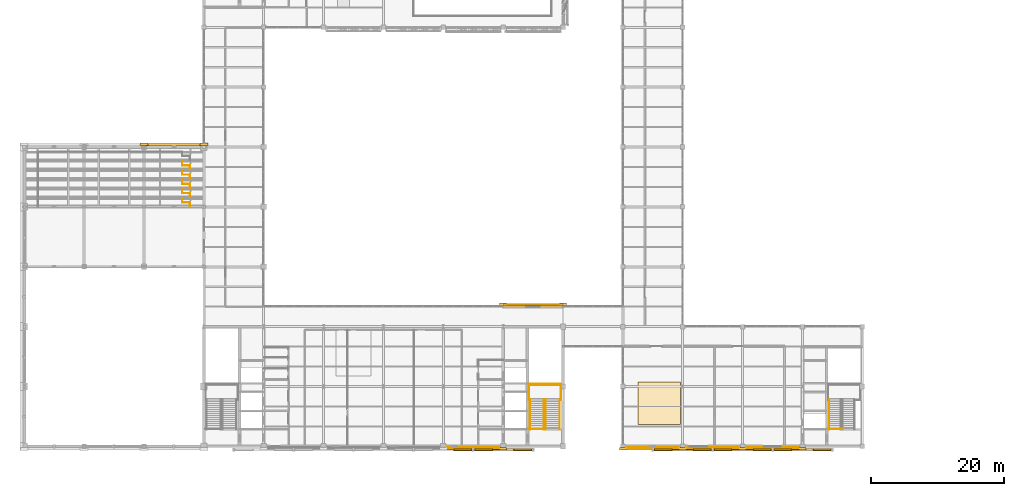
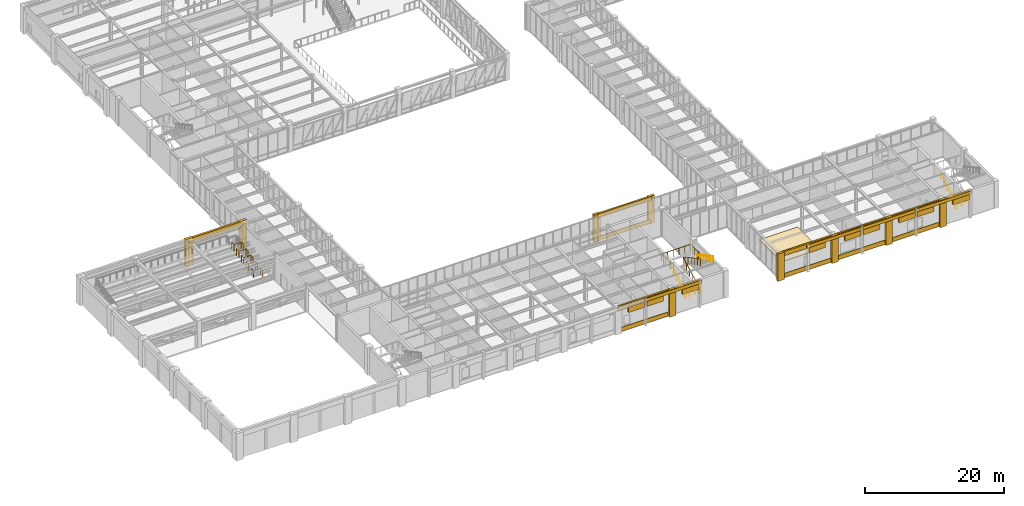
# One storey, part 89 of 92: 34 coverings, 12 railings.
"""IFC4 building model written with IfcOpenShell, lengths in metres."""

import ifcopenshell
import ifcopenshell.guid

model = None  # the IFC model being written
_history = None  # IfcOwnerHistory: only IFC2X3 demands one
_inside = {}  # id of a spatial element -> (the spatial element, [elements in it])
_under = {}  # id of a project, library or spatial element -> (it, [spatial elements below it])
_declared = {}  # id of a project -> (the project, [libraries it declares])
_typed = {}  # id of a type object -> (the type object, [elements of that type])
_made_of = {}  # id of a material, layer set ... -> (it, [elements and type objects made of it])


def new_model(schema):
    """Start an empty IFC model of exactly this schema.

    Asked for "IFC4X3", IfcOpenShell would pick the latest addendum, in which some entities
    have other attributes; the version numbers below select the first issue.
    IFC2X3 requires an IfcOwnerHistory on every rooted entity: one is made here for all.
    """
    global model, _history
    if schema == "IFC4X3":
        model = ifcopenshell.file(schema_version=(4, 3, 0, 0))
    else:
        model = ifcopenshell.file(schema=schema)
    _inside.clear()
    _under.clear()
    _declared.clear()
    _typed.clear()
    _made_of.clear()
    _history = None
    if model.schema == "IFC2X3":
        org = make("IfcOrganization", Name="unknown")
        user = make(
            "IfcPersonAndOrganization",
            ThePerson=make("IfcPerson", FamilyName="unknown"),
            TheOrganization=org,
        )
        app = make(
            "IfcApplication",
            ApplicationDeveloper=org,
            Version="unknown",
            ApplicationFullName="unknown",
            ApplicationIdentifier="unknown",
        )
        _history = make(
            "IfcOwnerHistory",
            OwningUser=user,
            OwningApplication=app,
            ChangeAction="ADDED",
            CreationDate=0,
        )
    return model


def make(cls, **values):
    """One entity of the class cls with the attributes given. An attribute that is None is left unset."""
    return model.create_entity(
        cls, **{name: value for name, value in values.items() if value is not None}
    )


def rooted(cls, **values):
    """An entity with a GlobalId (a new one), such as an element, a storey or a relation."""
    return make(cls, GlobalId=ifcopenshell.guid.new(), OwnerHistory=_history, **values)


def si_unit(unit_type, name, prefix=None):
    """IfcSIUnit, for example si_unit("LENGTHUNIT", "METRE", prefix="MILLI")."""
    return make("IfcSIUnit", UnitType=unit_type, Prefix=prefix, Name=name)


def assignment(units):
    """IfcUnitAssignment: the units of a project."""
    return None if units is None else make("IfcUnitAssignment", Units=units)


def point(xyz):
    """IfcCartesianPoint."""
    return None if xyz is None else make("IfcCartesianPoint", Coordinates=xyz)


def direction(xyz):
    """IfcDirection."""
    return None if xyz is None else make("IfcDirection", DirectionRatios=xyz)


def frame(location, z_axis=None, x_axis=None):
    """IfcAxis2Placement3D, a coordinate frame: its origin and axes. An axis left out is left unset."""
    return make(
        "IfcAxis2Placement3D",
        Location=point(location),
        Axis=direction(z_axis),
        RefDirection=direction(x_axis),
    )


def frame_2d(location, x_axis=None):
    """IfcAxis2Placement2D, a coordinate frame in the plane: its origin and x axis."""
    return make(
        "IfcAxis2Placement2D", Location=point(location), RefDirection=direction(x_axis)
    )


def origin():
    """The frame at (0, 0, 0) with its axes left unset."""
    return frame((0.0, 0.0, 0.0))


def origin_2d():
    """The frame at (0, 0) in the plane with its x axis left unset."""
    return frame_2d((0.0, 0.0))


def place(relative_to, where):
    """IfcLocalPlacement: puts the frame where relative to a parent placement (None: the world)."""
    return make(
        "IfcLocalPlacement", PlacementRelTo=relative_to, RelativePlacement=where
    )


def context(
    kind, dimensions, precision=None, world=None, true_north=None, identifier=None
):
    """IfcGeometricRepresentationContext, for example the 3D "Model" context."""
    return make(
        "IfcGeometricRepresentationContext",
        ContextIdentifier=identifier,
        ContextType=kind,
        CoordinateSpaceDimension=dimensions,
        Precision=precision,
        WorldCoordinateSystem=world,
        TrueNorth=true_north,
    )


def subcontext(parent, identifier, kind, view, scale=None):
    """IfcGeometricRepresentationSubContext, for example "Body" below "Model"."""
    return make(
        "IfcGeometricRepresentationSubContext",
        ContextIdentifier=identifier,
        ContextType=kind,
        ParentContext=parent,
        TargetScale=scale,
        TargetView=view,
    )


def project(units=None, contexts=None):
    """IfcProject with its units and contexts."""
    return rooted(
        "IfcProject",
        Name="project",
        RepresentationContexts=contexts,
        UnitsInContext=assignment(units),
    )


def spatial(cls, under=None, at=None, **own):
    """A site, building, storey or space (cls), placed at a placement, below another one or the project."""
    s = rooted(cls, ObjectPlacement=at, **own)
    if under is not None:
        _under.setdefault(under.id(), (under, []))[1].append(s)
    return s


def profile(cls, at=None, kind="AREA", **sizes):
    """A parametric profile (cls). Its sizes go by their IFC names, for example OverallWidth=200.0."""
    return make(cls, ProfileType=kind, Position=at, **sizes)


def rectangle(**sizes):
    """IfcRectangleProfileDef."""
    return profile("IfcRectangleProfileDef", **sizes)


def circle(**sizes):
    """IfcCircleProfileDef."""
    return profile("IfcCircleProfileDef", **sizes)


def extrude(swept, where, along, depth):
    """IfcExtrudedAreaSolid: the profile swept, set in the frame where, extruded along a direction by depth."""
    return make(
        "IfcExtrudedAreaSolid",
        SweptArea=swept,
        Position=where,
        ExtrudedDirection=direction(along),
        Depth=depth,
    )


def shape(context_of_items, identifier, shape_type, items):
    """IfcShapeRepresentation: the items that make up one representation, for example the "Body"."""
    return make(
        "IfcShapeRepresentation",
        ContextOfItems=context_of_items,
        RepresentationIdentifier=identifier,
        RepresentationType=shape_type,
        Items=items,
    )


def material(Name=None, Category=None):
    """IfcMaterial."""
    return make("IfcMaterial", Name=Name, Category=Category)


def layer(
    of_material, thickness, ventilated=None, Name=None, Category=None, Priority=None
):
    """IfcMaterialLayer: one layer of a wall or slab, of a material (None: an air gap)."""
    return make(
        "IfcMaterialLayer",
        Material=of_material,
        LayerThickness=thickness,
        IsVentilated=ventilated,
        Name=Name,
        Category=Category,
        Priority=Priority,
    )


def layer_set(layers, Name=None):
    """IfcMaterialLayerSet."""
    return make("IfcMaterialLayerSet", MaterialLayers=layers, LayerSetName=Name)


def made_of(thing, what):
    """Note that an element or type object is made of a material, layer set ...; save() writes the relation."""
    if what is not None:
        _made_of.setdefault(what.id(), (what, []))[1].append(thing)
    return thing


def type_object(cls, material=None, **own):
    """A type object (cls), such as IfcWallType, which elements share."""
    return made_of(rooted(cls, **own), material)


def element(
    cls,
    number,
    at=None,
    inside=None,
    cuts=None,
    type_object=None,
    material=None,
    context=None,
    identifier="Body",
    shape_type=None,
    held_by="IfcProductDefinitionShape",
    body=None,
    shapes=None,
    **own,
):
    """One element of the class cls, such as IfcWall. Its Tag is "e" and its number.

    at: its placement. inside: the storey or other place that contains it. cuts: it is an
    opening in that element (IfcRelVoidsElement). A single representation is given by context,
    identifier, shape_type and body (its items); several are given by shapes. held_by: the class
    of the entity that holds the representations. save() writes the other relations.
    """
    e = rooted(cls, Tag="e%d" % number, ObjectPlacement=at, **own)
    if body is not None:
        shapes = [shape(context, identifier, shape_type, body)]
    if shapes is not None:
        e.Representation = make(held_by, Representations=shapes)
    if inside is not None:
        _inside.setdefault(inside.id(), (inside, []))[1].append(e)
    if cuts is not None:
        rooted(
            "IfcRelVoidsElement", RelatingBuildingElement=cuts, RelatedOpeningElement=e
        )
    if type_object is not None:
        _typed.setdefault(type_object.id(), (type_object, []))[1].append(e)
    return made_of(e, material)


def aggregate(whole, parts):
    """IfcRelAggregates: a whole, such as a stair, and the parts it consists of."""
    return rooted("IfcRelAggregates", RelatingObject=whole, RelatedObjects=parts)


def save(model, path):
    """Write the relations noted so far, then the file.

    IfcRelAggregates (storeys below a building ...), IfcRelContainedInSpatialStructure (elements
    in a storey), IfcRelDefinesByType, IfcRelAssociatesMaterial and IfcRelDeclares: one each for
    every whole, place, type object, material and project.
    """
    for whole, parts in _under.values():
        aggregate(whole, parts)
    for where, things in _inside.values():
        rooted(
            "IfcRelContainedInSpatialStructure",
            RelatedElements=things,
            RelatingStructure=where,
        )
    for kind, things in _typed.values():
        rooted("IfcRelDefinesByType", RelatedObjects=things, RelatingType=kind)
    for what, things in _made_of.values():
        rooted("IfcRelAssociatesMaterial", RelatedObjects=things, RelatingMaterial=what)
    for by, libraries in _declared.values():
        rooted("IfcRelDeclares", RelatingContext=by, RelatedDefinitions=libraries)
    model.write(path)


model = new_model("IFC4")

# Units and contexts
model_context = context("Model", 3, precision=1e-05, world=origin(), true_north=direction((0.0, 1.0)))
body_context = subcontext(model_context, "Body", "Model", "MODEL_VIEW")
ifc_project = project(units=[si_unit("LENGTHUNIT", "METRE"), si_unit("AREAUNIT", "SQUARE_METRE"), si_unit("VOLUMEUNIT", "CUBIC_METRE"), si_unit("PLANEANGLEUNIT", "RADIAN"), si_unit("MASSUNIT", "GRAM", prefix="KILO")], contexts=[model_context])

# Site, building, storey
site_placement = place(None, origin())
site = spatial("IfcSite", under=ifc_project, at=site_placement, CompositionType="ELEMENT")
building_placement = place(site_placement, origin())
building = spatial("IfcBuilding", under=site, at=building_placement, Name="Lykobir Media Centre", CompositionType="ELEMENT")
storey_placement = place(building_placement, frame((0.0, 0.0, 5.39990234375)))
storey = spatial("IfcBuildingStorey", under=building, at=storey_placement, Name="L01", CompositionType="ELEMENT", Elevation=5.39990234375)

# Coverings
ifc_material_1 = material(Name="Honed Travertine Stone", Category="masonry")
ifc_layer_1 = layer(ifc_material_1, 0.050048828125, Name="Honed Travertine Stone")
ifc_layer_set_1 = layer_set([ifc_layer_1], Name="Honed Travertine Stone")
covering_type_1 = type_object("IfcCoveringType", Name="CLD-TRAV", PredefinedType="CLADDING", material=ifc_layer_set_1)
covering_1_placement = place(storey_placement, frame((72.0, -0.3798828125, 0.0), z_axis=(0.0, 0.0, 1.0), x_axis=(1.0, 0.0, 0.0)))
element("IfcCovering", 1, at=covering_1_placement, inside=storey, type_object=covering_type_1, Name="Travertine column pier 200", PredefinedType="CLADDING", context=body_context, shape_type="SweptSolid", body=[
    extrude(rectangle(XDim=1.06005859375, YDim=0.39990234375, at=origin_2d()), origin(), (0.0, 0.0, 1.0), 4.800048828125),
])
covering_2_placement = place(storey_placement, frame((67.5, -0.300048828125, 4.0400390625), z_axis=(0.0, 0.0, 1.0), x_axis=(1.0, 0.0, 0.0)))
element("IfcCovering", 2, at=covering_2_placement, inside=storey, type_object=covering_type_1, Name="Travertine spandrel stringcourse 201", PredefinedType="CLADDING", context=body_context, shape_type="SweptSolid", body=[
    extrude(rectangle(XDim=9.0, YDim=0.280029296875, at=origin_2d()), origin(), (0.0, 0.0, 1.0), 0.760009765625),
])
covering_3_placement = place(storey_placement, frame((67.5, -0.216064453125, 0.080078125), z_axis=(0.0, 0.0, 1.0), x_axis=(1.0, 0.0, 0.0)))
element("IfcCovering", 3, at=covering_3_placement, inside=storey, type_object=covering_type_1, Name="Facade spandrel apron 202", PredefinedType="CLADDING", context=body_context, shape_type="SweptSolid", body=[
    extrude(rectangle(XDim=7.830078125, YDim=0.110107421875, at=origin_2d()), origin(), (0.0, 0.0, 1.0), 0.719970703125),
])
for number, where, z_axis, x_axis, name in (
    (4, (90.0, -0.3798828125, 0.0), (0.0, 0.0, 1.0), (1.0, 0.0, 0.0), "Travertine column pier 203"),
    (5, (99.0, -0.3798828125, 0.0), (0.0, 0.0, 1.0), (1.0, 0.0, 0.0), "Travertine column pier 204"),
):
    element("IfcCovering", number, at=place(storey_placement, frame(where, z_axis=z_axis, x_axis=x_axis)), inside=storey, type_object=covering_type_1, Name=name, PredefinedType="CLADDING", context=body_context, shape_type="SweptSolid", body=[
        extrude(rectangle(XDim=1.06005859375, YDim=0.39990234375, at=origin_2d()), origin(), (0.0, 0.0, 1.0), 4.800048828125),
    ])
covering_4_placement = place(storey_placement, frame((94.5, -0.300048828125, 4.0400390625), z_axis=(0.0, 0.0, 1.0), x_axis=(1.0, 0.0, 0.0)))
element("IfcCovering", 6, at=covering_4_placement, inside=storey, type_object=covering_type_1, Name="Travertine spandrel stringcourse 205", PredefinedType="CLADDING", context=body_context, shape_type="SweptSolid", body=[
    extrude(rectangle(XDim=9.0, YDim=0.280029296875, at=origin_2d()), origin(), (0.0, 0.0, 1.0), 0.760009765625),
])
covering_5_placement = place(storey_placement, frame((94.5, -0.216064453125, 0.080078125), z_axis=(0.0, 0.0, 1.0), x_axis=(1.0, 0.0, 0.0)))
element("IfcCovering", 7, at=covering_5_placement, inside=storey, type_object=covering_type_1, Name="Facade spandrel apron 206", PredefinedType="CLADDING", context=body_context, shape_type="SweptSolid", body=[
    extrude(rectangle(XDim=7.929931640625, YDim=0.110107421875, at=origin_2d()), origin(), (0.0, 0.0, 1.0), 0.719970703125),
])
covering_6_placement = place(storey_placement, frame((108.0, -0.3798828125, 0.0), z_axis=(0.0, 0.0, 1.0), x_axis=(1.0, 0.0, 0.0)))
element("IfcCovering", 8, at=covering_6_placement, inside=storey, type_object=covering_type_1, Name="Travertine column pier 207", PredefinedType="CLADDING", context=body_context, shape_type="SweptSolid", body=[
    extrude(rectangle(XDim=1.06005859375, YDim=0.39990234375, at=origin_2d()), origin(), (0.0, 0.0, 1.0), 4.800048828125),
])
covering_7_placement = place(storey_placement, frame((103.5, -0.300048828125, 4.0400390625), z_axis=(0.0, 0.0, 1.0), x_axis=(1.0, 0.0, 0.0)))
element("IfcCovering", 9, at=covering_7_placement, inside=storey, type_object=covering_type_1, Name="Travertine spandrel stringcourse 208", PredefinedType="CLADDING", context=body_context, shape_type="SweptSolid", body=[
    extrude(rectangle(XDim=9.0, YDim=0.280029296875, at=origin_2d()), origin(), (0.0, 0.0, 1.0), 0.760009765625),
])
covering_8_placement = place(storey_placement, frame((103.5, -0.216064453125, 0.080078125), z_axis=(0.0, 0.0, 1.0), x_axis=(1.0, 0.0, 0.0)))
element("IfcCovering", 10, at=covering_8_placement, inside=storey, type_object=covering_type_1, Name="Facade spandrel apron 209", PredefinedType="CLADDING", context=body_context, shape_type="SweptSolid", body=[
    extrude(rectangle(XDim=7.929931640625, YDim=0.110107421875, at=origin_2d()), origin(), (0.0, 0.0, 1.0), 0.719970703125),
])
covering_9_placement = place(storey_placement, frame((117.0, -0.3798828125, 0.0), z_axis=(0.0, 0.0, 1.0), x_axis=(1.0, 0.0, 0.0)))
element("IfcCovering", 11, at=covering_9_placement, inside=storey, type_object=covering_type_1, Name="Travertine column pier 210", PredefinedType="CLADDING", context=body_context, shape_type="SweptSolid", body=[
    extrude(rectangle(XDim=1.06005859375, YDim=0.39990234375, at=origin_2d()), origin(), (0.0, 0.0, 1.0), 4.800048828125),
])
covering_10_placement = place(storey_placement, frame((112.5, -0.300048828125, 4.0400390625), z_axis=(0.0, 0.0, 1.0), x_axis=(1.0, 0.0, 0.0)))
element("IfcCovering", 12, at=covering_10_placement, inside=storey, type_object=covering_type_1, Name="Travertine spandrel stringcourse 211", PredefinedType="CLADDING", context=body_context, shape_type="SweptSolid", body=[
    extrude(rectangle(XDim=9.0, YDim=0.280029296875, at=origin_2d()), origin(), (0.0, 0.0, 1.0), 0.760009765625),
])
covering_11_placement = place(storey_placement, frame((112.5, -0.216064453125, 0.080078125), z_axis=(0.0, 0.0, 1.0), x_axis=(1.0, 0.0, 0.0)))
element("IfcCovering", 13, at=covering_11_placement, inside=storey, type_object=covering_type_1, Name="Facade spandrel apron 212", PredefinedType="CLADDING", context=body_context, shape_type="SweptSolid", body=[
    extrude(rectangle(XDim=7.929931640625, YDim=0.110107421875, at=origin_2d()), origin(), (0.0, 0.0, 1.0), 0.719970703125),
])
for number, where, z_axis, x_axis, name in (
    (14, (81.0, 21.3798828125, 0.0), (0.0, 0.0, 1.0), (-1.0, 0.0, 0.0), "Travertine column pier 217"),
    (15, (72.0, 21.3798828125, 0.0), (0.0, 0.0, 1.0), (-1.0, 0.0, 0.0), "Travertine column pier 218"),
):
    element("IfcCovering", number, at=place(storey_placement, frame(where, z_axis=z_axis, x_axis=x_axis)), inside=storey, type_object=covering_type_1, Name=name, PredefinedType="CLADDING", context=body_context, shape_type="SweptSolid", body=[
        extrude(rectangle(XDim=1.06005859375, YDim=0.39990234375, at=origin_2d()), origin(), (0.0, 0.0, 1.0), 4.800048828125),
    ])
covering_12_placement = place(storey_placement, frame((76.5, 21.300048828125, 4.0400390625), z_axis=(0.0, 0.0, 1.0), x_axis=(-1.0, 0.0, 0.0)))
element("IfcCovering", 16, at=covering_12_placement, inside=storey, type_object=covering_type_1, Name="Travertine spandrel stringcourse 219", PredefinedType="CLADDING", context=body_context, shape_type="SweptSolid", body=[
    extrude(rectangle(XDim=9.0, YDim=0.280029296875, at=origin_2d()), origin(), (0.0, 0.0, 1.0), 0.760009765625),
])
covering_13_placement = place(storey_placement, frame((76.5, 21.216064453125, 0.080078125), z_axis=(0.0, 0.0, 1.0), x_axis=(-1.0, 0.0, 0.0)))
element("IfcCovering", 17, at=covering_13_placement, inside=storey, type_object=covering_type_1, Name="Facade spandrel apron 220", PredefinedType="CLADDING", context=body_context, shape_type="SweptSolid", body=[
    extrude(rectangle(XDim=8.75, YDim=0.110107421875, at=origin_2d()), origin(), (0.0, 0.0, 1.0), 0.719970703125),
])
covering_14_placement = place(storey_placement, frame((18.0, 45.419921875, 0.0), z_axis=(0.0, 0.0, 1.0), x_axis=(-1.0, 0.0, 0.0)))
element("IfcCovering", 18, at=covering_14_placement, inside=storey, type_object=covering_type_1, Name="Stone pilaster 245", PredefinedType="CLADDING", context=body_context, shape_type="SweptSolid", body=[
    extrude(rectangle(XDim=1.179931640625, YDim=0.43994140625, at=origin_2d()), origin(), (0.0, 0.0, 1.0), 4.800048828125),
])
covering_15_placement = place(storey_placement, frame((22.5, 45.360107421875, 3.9599609375), z_axis=(0.0, 0.0, 1.0), x_axis=(-1.0, 0.0, 0.0)))
element("IfcCovering", 19, at=covering_15_placement, inside=storey, type_object=covering_type_1, Name="Acoustic hall cornice band 246", PredefinedType="CLADDING", context=body_context, shape_type="SweptSolid", body=[
    extrude(rectangle(XDim=9.0, YDim=0.340087890625, at=origin_2d()), origin(), (0.0, 0.0, 1.0), 0.840087890625),
])
covering_16_placement = place(storey_placement, frame((27.0, 45.419921875, 0.0), z_axis=(0.0, 0.0, 1.0), x_axis=(-1.0, 0.0, 0.0)))
element("IfcCovering", 20, at=covering_16_placement, inside=storey, type_object=covering_type_1, Name="Stone pilaster 247", PredefinedType="CLADDING", context=body_context, shape_type="SweptSolid", body=[
    extrude(rectangle(XDim=1.179931640625, YDim=0.43994140625, at=origin_2d()), origin(), (0.0, 0.0, 1.0), 4.800048828125),
])
covering_17_placement = place(storey_placement, frame((65.949951171875, -0.47998046875, 3.27490234375), z_axis=(0.0, 0.0, 1.0), x_axis=(1.0, 0.0, 0.0)))
element("IfcCovering", 21, at=covering_17_placement, inside=storey, type_object=covering_type_1, Name="South Revak pointed arch haunch 962", PredefinedType="CLADDING", context=body_context, shape_type="SweptSolid", body=[
    extrude(rectangle(XDim=2.699951171875, YDim=0.300048828125, at=origin_2d()), origin(), (0.0, 0.0, 1.0), 0.949951171875),
])
covering_18_placement = place(storey_placement, frame((72.0, -0.47998046875, 4.199951171875), z_axis=(0.0, 0.0, 1.0), x_axis=(1.0, 0.0, 0.0)))
element("IfcCovering", 22, at=covering_18_placement, inside=storey, type_object=covering_type_1, Name="South Revak entablature 963", PredefinedType="CLADDING", context=body_context, shape_type="SweptSolid", body=[
    extrude(rectangle(XDim=9.39990234375, YDim=0.340087890625, at=origin_2d()), origin(), (0.0, 0.0, 1.0), 0.56005859375),
])
for number, where, z_axis, x_axis, name in (
    (23, (69.050048828125, -0.47998046875, 3.27490234375), (0.0, 0.0, 1.0), (1.0, 0.0, 0.0), "South Revak pointed arch haunch 964"),
    (24, (74.949951171875, -0.47998046875, 3.27490234375), (0.0, 0.0, 1.0), (1.0, 0.0, 0.0), "South Revak pointed arch haunch 965"),
):
    element("IfcCovering", number, at=place(storey_placement, frame(where, z_axis=z_axis, x_axis=x_axis)), inside=storey, type_object=covering_type_1, Name=name, PredefinedType="CLADDING", context=body_context, shape_type="SweptSolid", body=[
        extrude(rectangle(XDim=2.699951171875, YDim=0.300048828125, at=origin_2d()), origin(), (0.0, 0.0, 1.0), 0.949951171875),
    ])
covering_19_placement = place(storey_placement, frame((99.0, -0.47998046875, 4.199951171875), z_axis=(0.0, 0.0, 1.0), x_axis=(1.0, 0.0, 0.0)))
element("IfcCovering", 25, at=covering_19_placement, inside=storey, type_object=covering_type_1, Name="South Revak entablature 966", PredefinedType="CLADDING", context=body_context, shape_type="SweptSolid", body=[
    extrude(rectangle(XDim=9.39990234375, YDim=0.340087890625, at=origin_2d()), origin(), (0.0, 0.0, 1.0), 0.56005859375),
])
for number, where, z_axis, x_axis, name in (
    (26, (96.050048828125, -0.47998046875, 3.27490234375), (0.0, 0.0, 1.0), (1.0, 0.0, 0.0), "South Revak pointed arch haunch 967"),
    (27, (101.949951171875, -0.47998046875, 3.27490234375), (0.0, 0.0, 1.0), (1.0, 0.0, 0.0), "South Revak pointed arch haunch 968"),
):
    element("IfcCovering", number, at=place(storey_placement, frame(where, z_axis=z_axis, x_axis=x_axis)), inside=storey, type_object=covering_type_1, Name=name, PredefinedType="CLADDING", context=body_context, shape_type="SweptSolid", body=[
        extrude(rectangle(XDim=2.699951171875, YDim=0.300048828125, at=origin_2d()), origin(), (0.0, 0.0, 1.0), 0.949951171875),
    ])
covering_20_placement = place(storey_placement, frame((108.0, -0.47998046875, 4.199951171875), z_axis=(0.0, 0.0, 1.0), x_axis=(1.0, 0.0, 0.0)))
element("IfcCovering", 28, at=covering_20_placement, inside=storey, type_object=covering_type_1, Name="South Revak entablature 969", PredefinedType="CLADDING", context=body_context, shape_type="SweptSolid", body=[
    extrude(rectangle(XDim=9.39990234375, YDim=0.340087890625, at=origin_2d()), origin(), (0.0, 0.0, 1.0), 0.56005859375),
])
for number, where, z_axis, x_axis, name in (
    (29, (105.050048828125, -0.47998046875, 3.27490234375), (0.0, 0.0, 1.0), (1.0, 0.0, 0.0), "South Revak pointed arch haunch 970"),
    (30, (110.949951171875, -0.47998046875, 3.27490234375), (0.0, 0.0, 1.0), (1.0, 0.0, 0.0), "South Revak pointed arch haunch 971"),
):
    element("IfcCovering", number, at=place(storey_placement, frame(where, z_axis=z_axis, x_axis=x_axis)), inside=storey, type_object=covering_type_1, Name=name, PredefinedType="CLADDING", context=body_context, shape_type="SweptSolid", body=[
        extrude(rectangle(XDim=2.699951171875, YDim=0.300048828125, at=origin_2d()), origin(), (0.0, 0.0, 1.0), 0.949951171875),
    ])
covering_21_placement = place(storey_placement, frame((117.0, -0.47998046875, 4.199951171875), z_axis=(0.0, 0.0, 1.0), x_axis=(1.0, 0.0, 0.0)))
element("IfcCovering", 31, at=covering_21_placement, inside=storey, type_object=covering_type_1, Name="South Revak entablature 972", PredefinedType="CLADDING", context=body_context, shape_type="SweptSolid", body=[
    extrude(rectangle(XDim=9.39990234375, YDim=0.340087890625, at=origin_2d()), origin(), (0.0, 0.0, 1.0), 0.56005859375),
])
for number, where, z_axis, x_axis, name in (
    (32, (114.050048828125, -0.47998046875, 3.27490234375), (0.0, 0.0, 1.0), (1.0, 0.0, 0.0), "South Revak pointed arch haunch 973"),
    (33, (119.949951171875, -0.47998046875, 3.27490234375), (0.0, 0.0, 1.0), (1.0, 0.0, 0.0), "South Revak pointed arch haunch 974"),
):
    element("IfcCovering", number, at=place(storey_placement, frame(where, z_axis=z_axis, x_axis=x_axis)), inside=storey, type_object=covering_type_1, Name=name, PredefinedType="CLADDING", context=body_context, shape_type="SweptSolid", body=[
        extrude(rectangle(XDim=2.699951171875, YDim=0.300048828125, at=origin_2d()), origin(), (0.0, 0.0, 1.0), 0.949951171875),
    ])
ifc_material_2 = material(Name="Acoustic Timber Panelling", Category="wood")
ifc_layer_2 = layer(ifc_material_2, 0.14990234375, Name="Acoustic Timber Panelling")
ifc_layer_set_2 = layer_set([ifc_layer_2], Name="Acoustic Timber Panelling")
covering_type_2 = type_object("IfcCoveringType", Name="COV-FLR-150", PredefinedType="FLOORING", material=ifc_layer_set_2)
covering_22_placement = place(storey_placement, frame((95.5, 6.5, 0.000244140625), z_axis=(0.0, 0.0, 1.0), x_axis=(1.0, 0.0, 0.0)))
element("IfcCovering", 34, at=covering_22_placement, inside=storey, type_object=covering_type_2, Name="L01 floating studio acoustic floor 2", PredefinedType="FLOORING", context=body_context, shape_type="SweptSolid", body=[
    extrude(rectangle(XDim=6.39990234375, YDim=6.39990234375, at=origin_2d()), origin(), (0.0, 0.0, 1.0), 0.14990234375),
])

# Railings
ifc_material_3 = material(Name="Steel S355", Category="steel")
railing_type_1 = type_object("IfcRailingType", Name="GR-1200", PredefinedType="BALUSTRADE", material=ifc_material_3)
railing_1_placement = place(storey_placement, frame((75.8701171875, 2.6298828125, 0.0)))
element("IfcRailing", 35, at=railing_1_placement, inside=storey, type_object=railing_type_1, Name="ST-2 L01 arrival well guard", PredefinedType="BALUSTRADE", context=body_context, shape_type="SweptSolid", body=[
    extrude(circle(Radius=0.02392578125, at=origin_2d()), frame((0.0, 0.0, 1.17578125), z_axis=(1.0, 0.0, 0.0), x_axis=(0.0, 1.0, 0.0)), (0.0, 0.0, 1.0), 2.539794921875),
    extrude(circle(Radius=0.02099609375, at=origin_2d()), origin(), (0.0, 0.0, 1.0), 1.15185546875),
    extrude(circle(Radius=0.02099609375, at=origin_2d()), frame((0.8466796875, 0.0, 0.0)), (0.0, 0.0, 1.0), 1.15185546875),
    extrude(circle(Radius=0.02099609375, at=origin_2d()), frame((1.693115234375, 0.0, 0.0)), (0.0, 0.0, 1.0), 1.15185546875),
    extrude(circle(Radius=0.02099609375, at=origin_2d()), frame((2.539794921875, 0.0, 0.0)), (0.0, 0.0, 1.0), 1.15185546875),
])
railing_2_placement = place(storey_placement, frame((78.1298828125, 2.530029296875, 0.0)))
element("IfcRailing", 36, at=railing_2_placement, inside=storey, type_object=railing_type_1, Name="ST-2 L01 inner well and slot guard", PredefinedType="BALUSTRADE", context=body_context, shape_type="SweptSolid", body=[
    extrude(circle(Radius=0.02392578125, at=origin_2d()), frame((0.0, 0.0, 1.17578125), z_axis=(0.0, 0.882341014787, 0.470610596591), x_axis=(-1.0, 0.0, 0.0)), (0.0, 0.0, 1.0), 5.10009765625),
    extrude(circle(Radius=0.02392578125, at=origin_2d()), frame((0.0, 4.5, 3.576171875), z_axis=(1.0, 0.0, 0.0), x_axis=(0.0, 1.0, 0.0)), (0.0, 0.0, 1.0), 0.280029296875),
    extrude(circle(Radius=0.02392578125, at=origin_2d()), frame((0.280029296875, 4.5, 3.576171875), z_axis=(0.0, -0.882360891967, 0.470573327259), x_axis=(1.0, 0.0, 0.0)), (0.0, 0.0, 1.0), 5.099853515625),
    extrude(circle(Radius=0.02099609375, at=origin_2d()), origin(), (0.0, 0.0, 1.0), 1.15185546875),
    extrude(circle(Radius=0.02099609375, at=origin_2d()), frame((0.0, 0.89990234375, 0.47998046875)), (0.0, 0.0, 1.0), 1.15185546875),
    extrude(circle(Radius=0.02099609375, at=origin_2d()), frame((0.0, 1.800048828125, 0.9599609375)), (0.0, 0.0, 1.0), 1.15185546875),
    extrude(circle(Radius=0.02099609375, at=origin_2d()), frame((0.0, 2.699951171875, 1.440185546875)), (0.0, 0.0, 1.0), 1.15185546875),
    extrude(circle(Radius=0.02099609375, at=origin_2d()), frame((0.0, 3.60009765625, 1.920166015625)), (0.0, 0.0, 1.0), 1.15185546875),
    extrude(circle(Radius=0.02099609375, at=origin_2d()), frame((0.0, 4.5, 2.400146484375)), (0.0, 0.0, 1.0), 1.15185546875),
    extrude(circle(Radius=0.02099609375, at=origin_2d()), frame((0.280029296875, 4.5, 2.400146484375)), (0.0, 0.0, 1.0), 1.15185546875),
    extrude(circle(Radius=0.02099609375, at=origin_2d()), frame((0.280029296875, 3.60009765625, 2.880126953125)), (0.0, 0.0, 1.0), 1.15185546875),
    extrude(circle(Radius=0.02099609375, at=origin_2d()), frame((0.280029296875, 2.699951171875, 3.360107421875)), (0.0, 0.0, 1.0), 1.15185546875),
    extrude(circle(Radius=0.02099609375, at=origin_2d()), frame((0.280029296875, 1.800048828125, 3.840087890625)), (0.0, 0.0, 1.0), 1.15185546875),
    extrude(circle(Radius=0.02099609375, at=origin_2d()), frame((0.280029296875, 0.89990234375, 4.320068359375)), (0.0, 0.0, 1.0), 1.15185546875),
    extrude(circle(Radius=0.02099609375, at=origin_2d()), frame((0.280029296875, 0.0, 4.800048828125)), (0.0, 0.0, 1.0), 1.15185546875),
])
railing_3_placement = place(storey_placement, frame((75.989990234375, 6.989990234375, 2.400146484375)))
element("IfcRailing", 37, at=railing_3_placement, inside=storey, type_object=railing_type_1, Name="ST-2 L01 half-landing perimeter guard", PredefinedType="BALUSTRADE", context=body_context, shape_type="SweptSolid", body=[
    extrude(circle(Radius=0.02392578125, at=origin_2d()), frame((0.0, 0.0, 1.17578125), z_axis=(-1.0, 0.0, 0.0), x_axis=(0.0, -1.0, 0.0)), (0.0, 0.0, 1.0), 0.110107421875),
    extrude(circle(Radius=0.02392578125, at=origin_2d()), frame((-0.110107421875, 0.0, 1.17578125), z_axis=(0.0, 1.0, 0.0), x_axis=(-1.0, 0.0, 0.0)), (0.0, 0.0, 1.0), 2.39990234375),
    extrude(circle(Radius=0.02392578125, at=origin_2d()), frame((-0.110107421875, 2.39990234375, 1.17578125), z_axis=(1.0, 0.0, 0.0), x_axis=(0.0, 1.0, 0.0)), (0.0, 0.0, 1.0), 4.840087890625),
    extrude(circle(Radius=0.02392578125, at=origin_2d()), frame((4.72998046875, 2.39990234375, 1.17578125), z_axis=(0.0, -1.0, 0.0), x_axis=(1.0, 0.0, 0.0)), (0.0, 0.0, 1.0), 2.39990234375),
    extrude(circle(Radius=0.02392578125, at=origin_2d()), frame((4.72998046875, 0.0, 1.17578125), z_axis=(-1.0, 0.0, 0.0), x_axis=(0.0, -1.0, 0.0)), (0.0, 0.0, 1.0), 0.169921875),
    extrude(circle(Radius=0.02099609375, at=origin_2d()), origin(), (0.0, 0.0, 1.0), 1.15185546875),
    extrude(circle(Radius=0.02099609375, at=origin_2d()), frame((-0.110107421875, 0.0, 0.0)), (0.0, 0.0, 1.0), 1.15185546875),
    extrude(circle(Radius=0.02099609375, at=origin_2d()), frame((-0.110107421875, 1.199951171875, 0.0)), (0.0, 0.0, 1.0), 1.15185546875),
    extrude(circle(Radius=0.02099609375, at=origin_2d()), frame((-0.110107421875, 2.39990234375, 0.0)), (0.0, 0.0, 1.0), 1.15185546875),
    extrude(circle(Radius=0.02099609375, at=origin_2d()), frame((0.85791015625, 2.39990234375, 0.0)), (0.0, 0.0, 1.0), 1.15185546875),
    extrude(circle(Radius=0.02099609375, at=origin_2d()), frame((1.825927734375, 2.39990234375, 0.0)), (0.0, 0.0, 1.0), 1.15185546875),
    extrude(circle(Radius=0.02099609375, at=origin_2d()), frame((2.7939453125, 2.39990234375, 0.0)), (0.0, 0.0, 1.0), 1.15185546875),
    extrude(circle(Radius=0.02099609375, at=origin_2d()), frame((3.761962890625, 2.39990234375, 0.0)), (0.0, 0.0, 1.0), 1.15185546875),
    extrude(circle(Radius=0.02099609375, at=origin_2d()), frame((4.72998046875, 2.39990234375, 0.0)), (0.0, 0.0, 1.0), 1.15185546875),
    extrude(circle(Radius=0.02099609375, at=origin_2d()), frame((4.72998046875, 1.199951171875, 0.0)), (0.0, 0.0, 1.0), 1.15185546875),
    extrude(circle(Radius=0.02099609375, at=origin_2d()), frame((4.72998046875, 0.0, 0.0)), (0.0, 0.0, 1.0), 1.15185546875),
    extrude(circle(Radius=0.02099609375, at=origin_2d()), frame((4.56005859375, 0.0, 0.0)), (0.0, 0.0, 1.0), 1.15185546875),
])
railing_4_placement = place(storey_placement, frame((120.8701171875, 2.6298828125, 0.0)))
element("IfcRailing", 38, at=railing_4_placement, inside=storey, type_object=railing_type_1, Name="ST-5 L01 arrival well guard", PredefinedType="BALUSTRADE", context=body_context, shape_type="SweptSolid", body=[
    extrude(circle(Radius=0.02392578125, at=origin_2d()), frame((0.0, 0.0, 1.17578125), z_axis=(1.0, 0.0, 0.0), x_axis=(0.0, 1.0, 0.0)), (0.0, 0.0, 1.0), 2.18994140625),
    extrude(circle(Radius=0.02099609375, at=origin_2d()), origin(), (0.0, 0.0, 1.0), 1.15185546875),
    extrude(circle(Radius=0.02099609375, at=origin_2d()), frame((1.094970703125, 0.0, 0.0)), (0.0, 0.0, 1.0), 1.15185546875),
    extrude(circle(Radius=0.02099609375, at=origin_2d()), frame((2.18994140625, 0.0, 0.0)), (0.0, 0.0, 1.0), 1.15185546875),
])
railing_5_placement = place(storey_placement, frame((24.93994140625, 36.06005859375, 1.18017578125)))
element("IfcRailing", 39, at=railing_5_placement, inside=storey, type_object=railing_type_1, Name="SCR3 east tier 1 balustrade", PredefinedType="BALUSTRADE", context=body_context, shape_type="SweptSolid", body=[
    extrude(circle(Radius=0.02392578125, at=origin_2d()), frame((0.0, 0.0, 1.17578125), z_axis=(0.0, 1.0, 0.0), x_axis=(-1.0, 0.0, 0.0)), (0.0, 0.0, 1.0), 0.579833984375),
    extrude(circle(Radius=0.02392578125, at=origin_2d()), frame((0.0, 0.579833984375, 1.17578125), z_axis=(-1.0, 0.0, 0.0), x_axis=(0.0, -1.0, 0.0)), (0.0, 0.0, 1.0), 1.199951171875),
    extrude(circle(Radius=0.02392578125, at=origin_2d()), frame((-1.199951171875, 0.579833984375, 1.17578125), z_axis=(0.0, 1.0, 0.0), x_axis=(-1.0, 0.0, 0.0)), (0.0, 0.0, 1.0), 0.66015625),
    extrude(circle(Radius=0.02099609375, at=origin_2d()), origin(), (0.0, 0.0, 1.0), 1.15185546875),
    extrude(circle(Radius=0.02099609375, at=origin_2d()), frame((0.0, 0.579833984375, 0.0)), (0.0, 0.0, 1.0), 1.15185546875),
    extrude(circle(Radius=0.02099609375, at=origin_2d()), frame((-1.199951171875, 0.579833984375, 0.0)), (0.0, 0.0, 1.0), 1.15185546875),
    extrude(circle(Radius=0.02099609375, at=origin_2d()), frame((-1.199951171875, 1.239990234375, 0.0)), (0.0, 0.0, 1.0), 1.15185546875),
])
railing_6_placement = place(storey_placement, frame((24.93994140625, 37.4599609375, 1.47998046875)))
element("IfcRailing", 40, at=railing_6_placement, inside=storey, type_object=railing_type_1, Name="SCR3 east tier 2 balustrade", PredefinedType="BALUSTRADE", context=body_context, shape_type="SweptSolid", body=[
    extrude(circle(Radius=0.02392578125, at=origin_2d()), frame((0.0, 0.0, 1.17578125), z_axis=(0.0, 1.0, 0.0), x_axis=(-1.0, 0.0, 0.0)), (0.0, 0.0, 1.0), 0.580078125),
    extrude(circle(Radius=0.02392578125, at=origin_2d()), frame((0.0, 0.580078125, 1.17578125), z_axis=(-1.0, 0.0, 0.0), x_axis=(0.0, -1.0, 0.0)), (0.0, 0.0, 1.0), 1.199951171875),
    extrude(circle(Radius=0.02392578125, at=origin_2d()), frame((-1.199951171875, 0.580078125, 1.17578125), z_axis=(0.0, 1.0, 0.0), x_axis=(-1.0, 0.0, 0.0)), (0.0, 0.0, 1.0), 0.659912109375),
    extrude(circle(Radius=0.02099609375, at=origin_2d()), origin(), (0.0, 0.0, 1.0), 1.15185546875),
    extrude(circle(Radius=0.02099609375, at=origin_2d()), frame((0.0, 0.580078125, 0.0)), (0.0, 0.0, 1.0), 1.15185546875),
    extrude(circle(Radius=0.02099609375, at=origin_2d()), frame((-1.199951171875, 0.580078125, 0.0)), (0.0, 0.0, 1.0), 1.15185546875),
    extrude(circle(Radius=0.02099609375, at=origin_2d()), frame((-1.199951171875, 1.239990234375, 0.0)), (0.0, 0.0, 1.0), 1.15185546875),
])
railing_7_placement = place(storey_placement, frame((24.93994140625, 38.860107421875, 1.780029296875)))
element("IfcRailing", 41, at=railing_7_placement, inside=storey, type_object=railing_type_1, Name="SCR3 east tier 3 balustrade", PredefinedType="BALUSTRADE", context=body_context, shape_type="SweptSolid", body=[
    extrude(circle(Radius=0.02392578125, at=origin_2d()), frame((0.0, 0.0, 1.17578125), z_axis=(0.0, 1.0, 0.0), x_axis=(-1.0, 0.0, 0.0)), (0.0, 0.0, 1.0), 0.579833984375),
    extrude(circle(Radius=0.02392578125, at=origin_2d()), frame((0.0, 0.579833984375, 1.17578125), z_axis=(-1.0, 0.0, 0.0), x_axis=(0.0, -1.0, 0.0)), (0.0, 0.0, 1.0), 1.199951171875),
    extrude(circle(Radius=0.02392578125, at=origin_2d()), frame((-1.199951171875, 0.579833984375, 1.17578125), z_axis=(0.0, 1.0, 0.0), x_axis=(-1.0, 0.0, 0.0)), (0.0, 0.0, 1.0), 0.66015625),
    extrude(circle(Radius=0.02099609375, at=origin_2d()), origin(), (0.0, 0.0, 1.0), 1.15185546875),
    extrude(circle(Radius=0.02099609375, at=origin_2d()), frame((0.0, 0.579833984375, 0.0)), (0.0, 0.0, 1.0), 1.15185546875),
    extrude(circle(Radius=0.02099609375, at=origin_2d()), frame((-1.199951171875, 0.579833984375, 0.0)), (0.0, 0.0, 1.0), 1.15185546875),
    extrude(circle(Radius=0.02099609375, at=origin_2d()), frame((-1.199951171875, 1.239990234375, 0.0)), (0.0, 0.0, 1.0), 1.15185546875),
])
for number, where, name in (
    (42, (24.93994140625, 40.260009765625, 2.080078125), "SCR3 east tier 4 balustrade"),
    (43, (24.93994140625, 41.659912109375, 2.380126953125), "SCR3 east tier 5 balustrade"),
):
    element("IfcRailing", number, at=place(storey_placement, frame(where)), inside=storey, type_object=railing_type_1, Name=name, PredefinedType="BALUSTRADE", context=body_context, shape_type="SweptSolid", body=[
        extrude(circle(Radius=0.02392578125, at=origin_2d()), frame((0.0, 0.0, 1.17578125), z_axis=(0.0, 1.0, 0.0), x_axis=(-1.0, 0.0, 0.0)), (0.0, 0.0, 1.0), 0.580078125),
        extrude(circle(Radius=0.02392578125, at=origin_2d()), frame((0.0, 0.580078125, 1.17578125), z_axis=(-1.0, 0.0, 0.0), x_axis=(0.0, -1.0, 0.0)), (0.0, 0.0, 1.0), 1.199951171875),
        extrude(circle(Radius=0.02392578125, at=origin_2d()), frame((-1.199951171875, 0.580078125, 1.17578125), z_axis=(0.0, 1.0, 0.0), x_axis=(-1.0, 0.0, 0.0)), (0.0, 0.0, 1.0), 0.659912109375),
        extrude(circle(Radius=0.02099609375, at=origin_2d()), origin(), (0.0, 0.0, 1.0), 1.15185546875),
        extrude(circle(Radius=0.02099609375, at=origin_2d()), frame((0.0, 0.580078125, 0.0)), (0.0, 0.0, 1.0), 1.15185546875),
        extrude(circle(Radius=0.02099609375, at=origin_2d()), frame((-1.199951171875, 0.580078125, 0.0)), (0.0, 0.0, 1.0), 1.15185546875),
        extrude(circle(Radius=0.02099609375, at=origin_2d()), frame((-1.199951171875, 1.239990234375, 0.0)), (0.0, 0.0, 1.0), 1.15185546875),
    ])
railing_type_2 = type_object("IfcRailingType", Name="HR-0900", PredefinedType="HANDRAIL", material=ifc_material_3)
railing_8_placement = place(storey_placement, frame((76.030029296875, 2.530029296875, 0.0)))
element("IfcRailing", 44, at=railing_8_placement, inside=storey, type_object=railing_type_2, Name="ST-2 L01 F1 wall handrail", PredefinedType="HANDRAIL", context=body_context, shape_type="SweptSolid", body=[
    extrude(circle(Radius=0.02392578125, at=origin_2d()), frame((0.0, 0.0, 0.8759765625), z_axis=(0.0, 0.882341014787, 0.470610596591), x_axis=(-1.0, 0.0, 0.0)), (0.0, 0.0, 1.0), 5.10009765625),
    extrude(circle(Radius=0.02099609375, at=origin_2d()), origin(), (0.0, 0.0, 1.0), 0.851806640625),
    extrude(circle(Radius=0.02099609375, at=origin_2d()), frame((0.0, 0.89990234375, 0.47998046875)), (0.0, 0.0, 1.0), 0.851806640625),
    extrude(circle(Radius=0.02099609375, at=origin_2d()), frame((0.0, 1.800048828125, 0.9599609375)), (0.0, 0.0, 1.0), 0.851806640625),
    extrude(circle(Radius=0.02099609375, at=origin_2d()), frame((0.0, 2.699951171875, 1.440185546875)), (0.0, 0.0, 1.0), 0.851806640625),
    extrude(circle(Radius=0.02099609375, at=origin_2d()), frame((0.0, 3.60009765625, 1.920166015625)), (0.0, 0.0, 1.0), 0.851806640625),
    extrude(circle(Radius=0.02099609375, at=origin_2d()), frame((0.0, 4.5, 2.400146484375)), (0.0, 0.0, 1.0), 0.851806640625),
])
railing_9_placement = place(storey_placement, frame((80.510009765625, 7.030029296875, 2.400146484375)))
element("IfcRailing", 45, at=railing_9_placement, inside=storey, type_object=railing_type_2, Name="ST-2 L01 F2 wall handrail", PredefinedType="HANDRAIL", context=body_context, shape_type="SweptSolid", body=[
    extrude(circle(Radius=0.02392578125, at=origin_2d()), frame((0.0, 0.0, 0.8759765625), z_axis=(0.0, -0.882360891967, 0.470573327259), x_axis=(1.0, 0.0, 0.0)), (0.0, 0.0, 1.0), 5.099853515625),
    extrude(circle(Radius=0.02099609375, at=origin_2d()), origin(), (0.0, 0.0, 1.0), 0.851806640625),
    extrude(circle(Radius=0.02099609375, at=origin_2d()), frame((0.0, -0.89990234375, 0.47998046875)), (0.0, 0.0, 1.0), 0.851806640625),
    extrude(circle(Radius=0.02099609375, at=origin_2d()), frame((0.0, -1.800048828125, 0.9599609375)), (0.0, 0.0, 1.0), 0.851806640625),
    extrude(circle(Radius=0.02099609375, at=origin_2d()), frame((0.0, -2.699951171875, 1.43994140625)), (0.0, 0.0, 1.0), 0.851806640625),
    extrude(circle(Radius=0.02099609375, at=origin_2d()), frame((0.0, -3.60009765625, 1.919921875)), (0.0, 0.0, 1.0), 0.851806640625),
    extrude(circle(Radius=0.02099609375, at=origin_2d()), frame((0.0, -4.5, 2.39990234375)), (0.0, 0.0, 1.0), 0.851806640625),
])
railing_10_placement = place(storey_placement, frame((121.030029296875, 2.530029296875, 0.0)))
element("IfcRailing", 46, at=railing_10_placement, inside=storey, type_object=railing_type_2, Name="ST-5 L01 F1 wall handrail", PredefinedType="HANDRAIL", context=body_context, shape_type="SweptSolid", body=[
    extrude(circle(Radius=0.02392578125, at=origin_2d()), frame((0.0, 0.0, 0.8759765625), z_axis=(0.0, 0.882341014787, 0.470610596591), x_axis=(-1.0, 0.0, 0.0)), (0.0, 0.0, 1.0), 5.10009765625),
    extrude(circle(Radius=0.02099609375, at=origin_2d()), origin(), (0.0, 0.0, 1.0), 0.851806640625),
    extrude(circle(Radius=0.02099609375, at=origin_2d()), frame((0.0, 0.89990234375, 0.47998046875)), (0.0, 0.0, 1.0), 0.851806640625),
    extrude(circle(Radius=0.02099609375, at=origin_2d()), frame((0.0, 1.800048828125, 0.9599609375)), (0.0, 0.0, 1.0), 0.851806640625),
    extrude(circle(Radius=0.02099609375, at=origin_2d()), frame((0.0, 2.699951171875, 1.440185546875)), (0.0, 0.0, 1.0), 0.851806640625),
    extrude(circle(Radius=0.02099609375, at=origin_2d()), frame((0.0, 3.60009765625, 1.920166015625)), (0.0, 0.0, 1.0), 0.851806640625),
    extrude(circle(Radius=0.02099609375, at=origin_2d()), frame((0.0, 4.5, 2.400146484375)), (0.0, 0.0, 1.0), 0.851806640625),
])

save(model, "model.ifc")
